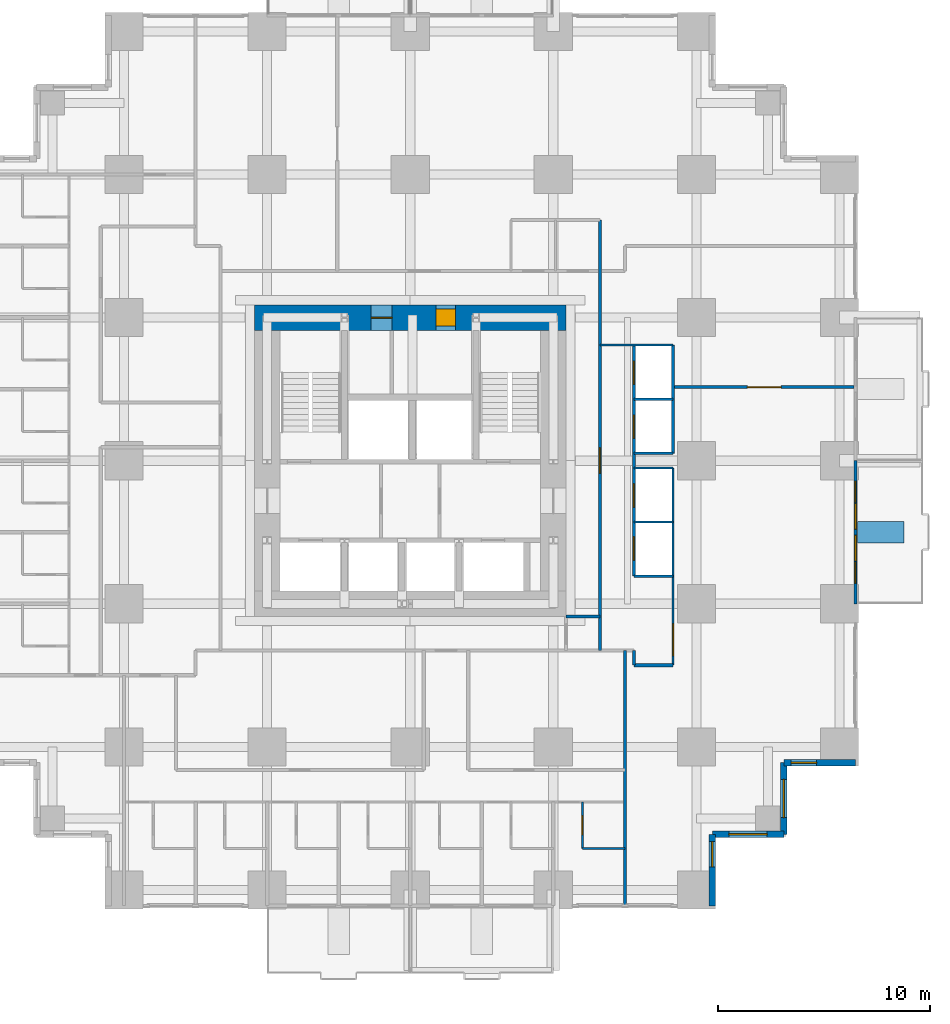
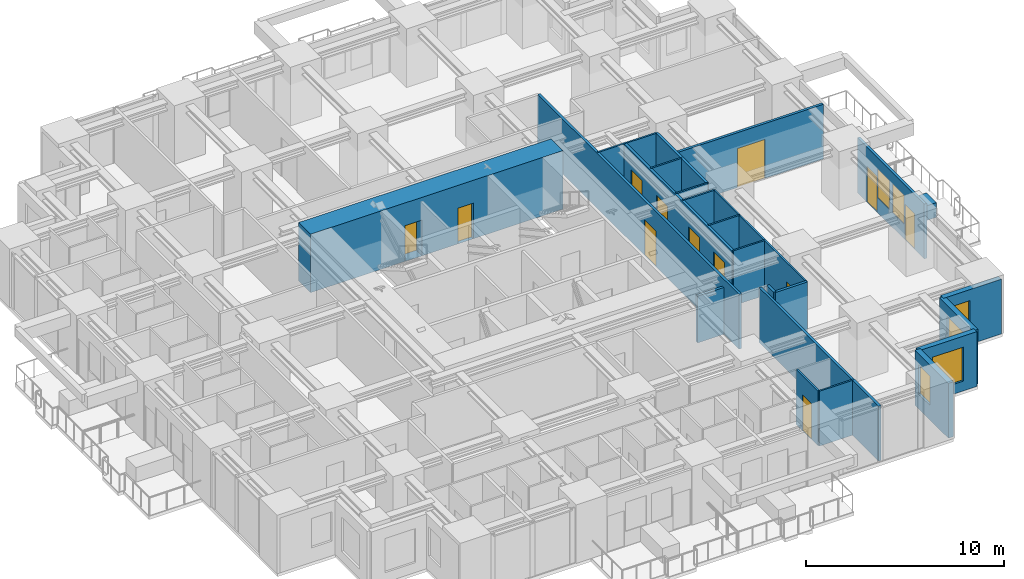
# One storey, part 9 of 13: 24 walls, 12 doors, 6 windows, 18 openings.
"""IFC4 building model written with IfcOpenShell, lengths in metres."""

from ifc_helpers import new_model, si_unit, direction, frame, frame_2d, origin, place, context, subcontext, project, spatial, rectangle, extrude, material, layer, layer_set, type_object, element, fill, save


model = new_model("IFC4")

# Units and contexts
model_context = context("Model", 3, precision=1e-05, world=origin(), true_north=direction((0.0, 1.0)))
body_context = subcontext(model_context, "Body", "Model", "MODEL_VIEW")
ifc_project = project(units=[si_unit("LENGTHUNIT", "METRE"), si_unit("AREAUNIT", "SQUARE_METRE"), si_unit("VOLUMEUNIT", "CUBIC_METRE"), si_unit("PLANEANGLEUNIT", "RADIAN"), si_unit("MASSUNIT", "GRAM", prefix="KILO")], contexts=[model_context])

# Site, building, storey
site_placement = place(None, origin())
site = spatial("IfcSite", under=ifc_project, at=site_placement, CompositionType="ELEMENT")
building_placement = place(site_placement, origin())
building = spatial("IfcBuilding", under=site, at=building_placement, Name="Nyansa Garden Tower", CompositionType="ELEMENT")
storey_placement = place(building_placement, frame((0.0, 0.0, 46.800048828125)))
storey = spatial("IfcBuildingStorey", under=building, at=storey_placement, Name="L12", CompositionType="ELEMENT", Elevation=46.800048828125)

# Wall, openings, doors, windows
ifc_material_1 = material(Name="Black aluminium framed glazed screen", Category="aluminium")
ifc_layer_1 = layer(ifc_material_1, 0.14990234375)
ifc_layer_set_1 = layer_set([ifc_layer_1], Name="Balcony screen wall BW150")
wall_type_1 = type_object("IfcWallType", Name="Balcony screen wall BW150", PredefinedType="SOLIDWALL", material=ifc_layer_set_1)
wall_1_placement = place(storey_placement, frame((41.25, 20.25, 0.0), z_axis=(0.0, 0.0, 1.0), x_axis=(0.0, -1.0, 0.0)))
wall_1 = element("IfcWall", 1, at=wall_1_placement, inside=storey, type_object=wall_type_1, Name="Glazed screen wall L12 E", PredefinedType="SOLIDWALL", context=body_context, shape_type="SweptSolid", body=[
    extrude(rectangle(XDim=6.75, YDim=0.14990234375, at=frame_2d((3.375, 0.0))), origin(), (0.0, 0.0, 1.0), 3.375),
])
opening_1_placement = place(wall_1_placement, frame((0.96240234375, 0.0, 0.0)))
opening_1 = element("IfcOpeningElement", 2, at=opening_1_placement, cuts=wall_1, Name="Opening D20", PredefinedType="OPENING", context=body_context, shape_type="SweptSolid", body=[
    extrude(rectangle(XDim=1.0, YDim=2.199951171875, at=frame_2d((0.5, 1.10009765625))), frame((0.0, 0.0849609375, 0.0), z_axis=(0.0, -1.0, 0.0), x_axis=(1.0, 0.0, 0.0)), (0.0, 0.0, 1.0), 0.169921875),
])
opening_2_placement = place(wall_1_placement, frame((2.02490234375, 0.0, 0.89990234375)))
opening_2 = element("IfcOpeningElement", 3, at=opening_2_placement, cuts=wall_1, Name="Opening W6", PredefinedType="OPENING", context=body_context, shape_type="SweptSolid", body=[
    extrude(rectangle(XDim=1.199951171875, YDim=1.800048828125, at=frame_2d((0.60009765625, 0.89990234375))), frame((0.0, 0.0849609375, 0.0), z_axis=(0.0, -1.0, 0.0), x_axis=(1.0, 0.0, 0.0)), (0.0, 0.0, 1.0), 0.169921875),
])
opening_3_placement = place(wall_1_placement, frame((4.78759765625, 0.0, 0.0)))
opening_3 = element("IfcOpeningElement", 4, at=opening_3_placement, cuts=wall_1, Name="Opening D20", PredefinedType="OPENING", context=body_context, shape_type="SweptSolid", body=[
    extrude(rectangle(XDim=1.0, YDim=2.199951171875, at=frame_2d((0.5, 1.10009765625))), frame((0.0, 0.0849609375, 0.0), z_axis=(0.0, -1.0, 0.0), x_axis=(1.0, 0.0, 0.0)), (0.0, 0.0, 1.0), 0.169921875),
])
opening_4_placement = place(wall_1_placement, frame((3.52490234375, 0.0, 0.89990234375)))
opening_4 = element("IfcOpeningElement", 5, at=opening_4_placement, cuts=wall_1, Name="Opening W6", PredefinedType="OPENING", context=body_context, shape_type="SweptSolid", body=[
    extrude(rectangle(XDim=1.199951171875, YDim=1.800048828125, at=frame_2d((0.60009765625, 0.89990234375))), frame((0.0, 0.0849609375, 0.0), z_axis=(0.0, -1.0, 0.0), x_axis=(1.0, 0.0, 0.0)), (0.0, 0.0, 1.0), 0.169921875),
])
ifc_material_2 = material(Name="Black aluminium framed glazed door", Category="aluminium")
door_type_1 = type_object("IfcDoorType", Name="Balcony door D20 1000x2200", OperationType="NOTDEFINED", PredefinedType="DOOR", material=ifc_material_2)
door_1_placement = place(opening_1_placement, origin())
door_1 = element("IfcDoor", 6, at=door_1_placement, inside=storey, type_object=door_type_1, Name="Balcony door L12", OperationType="SINGLE_SWING_LEFT", OverallHeight=2.199951171875, OverallWidth=1.0, PredefinedType="DOOR", context=body_context, shape_type="SweptSolid", body=[
    extrude(rectangle(XDim=1.0, YDim=2.199951171875, at=frame_2d((0.5, 1.10009765625))), frame((0.0, 0.02490234375, 0.0), z_axis=(0.0, -1.0, 0.0), x_axis=(1.0, 0.0, 0.0)), (0.0, 0.0, 1.0), 0.050048828125),
])
fill(opening_1, door_1)
door_2_placement = place(opening_3_placement, origin())
door_2 = element("IfcDoor", 7, at=door_2_placement, inside=storey, type_object=door_type_1, Name="Balcony door L12", OperationType="SINGLE_SWING_RIGHT", OverallHeight=2.199951171875, OverallWidth=1.0, PredefinedType="DOOR", context=body_context, shape_type="SweptSolid", body=[
    extrude(rectangle(XDim=1.0, YDim=2.199951171875, at=frame_2d((0.5, 1.10009765625))), frame((0.0, 0.02490234375, 0.0), z_axis=(0.0, -1.0, 0.0), x_axis=(1.0, 0.0, 0.0)), (0.0, 0.0, 1.0), 0.050048828125),
])
fill(opening_3, door_2)
ifc_material_3 = material(Name="Black aluminium frame, dark tinted double glazing", Category="aluminium")
window_type_1 = type_object("IfcWindowType", Name="Balcony window W6 1200x1800", PartitioningType="SINGLE_PANEL", PredefinedType="WINDOW", material=ifc_material_3)
window_1_placement = place(opening_2_placement, origin())
window_1 = element("IfcWindow", 8, at=window_1_placement, inside=storey, type_object=window_type_1, Name="Window L12", OverallHeight=1.800048828125, OverallWidth=1.199951171875, PartitioningType="SINGLE_PANEL", PredefinedType="WINDOW", context=body_context, shape_type="SweptSolid", body=[
    extrude(rectangle(XDim=1.199951171875, YDim=1.800048828125, at=frame_2d((0.60009765625, 0.89990234375))), frame((0.0, 0.030029296875, 0.0), z_axis=(0.0, -1.0, 0.0), x_axis=(1.0, 0.0, 0.0)), (0.0, 0.0, 1.0), 0.06005859375),
])
fill(opening_2, window_1)
window_2_placement = place(opening_4_placement, origin())
window_2 = element("IfcWindow", 9, at=window_2_placement, inside=storey, type_object=window_type_1, Name="Window L12", OverallHeight=1.800048828125, OverallWidth=1.199951171875, PartitioningType="SINGLE_PANEL", PredefinedType="WINDOW", context=body_context, shape_type="SweptSolid", body=[
    extrude(rectangle(XDim=1.199951171875, YDim=1.800048828125, at=frame_2d((0.60009765625, 0.89990234375))), frame((0.0, 0.030029296875, 0.0), z_axis=(0.0, -1.0, 0.0), x_axis=(1.0, 0.0, 0.0)), (0.0, 0.0, 1.0), 0.06005859375),
])
fill(opening_4, window_2)

# Wall, openings, doors
ifc_material_4 = material(Name="Concrete C80/95", Category="concrete")
ifc_layer_2 = layer(ifc_material_4, 1.199951171875)
ifc_layer_set_2 = layer_set([ifc_layer_2], Name="Core wall CW1200")
wall_type_2 = type_object("IfcWallType", Name="Core wall CW1200", PredefinedType="SHEAR", material=ifc_layer_set_2)
wall_2_placement = place(storey_placement, frame((27.60009765625, 27.0, 0.0), z_axis=(0.0, 0.0, 1.0), x_axis=(-1.0, 0.0, 0.0)))
wall_2 = element("IfcWall", 10, at=wall_2_placement, inside=storey, type_object=wall_type_2, Name="Core wall N L12", PredefinedType="SHEAR", context=body_context, shape_type="SweptSolid", body=[
    extrude(rectangle(XDim=14.7001953125, YDim=1.199951171875, at=frame_2d((7.35009765625, 0.0))), origin(), (0.0, 0.0, 1.0), 3.599853515625),
])
opening_5_placement = place(wall_2_placement, frame((5.22509765625, 0.0, 0.0)))
opening_5 = element("IfcOpeningElement", 11, at=opening_5_placement, cuts=wall_2, Name="Opening D15", PredefinedType="OPENING", context=body_context, shape_type="SweptSolid", body=[
    extrude(rectangle(XDim=0.89990234375, YDim=2.199951171875, at=frame_2d((0.449951171875, 1.10009765625))), frame((0.0, 0.60986328125, 0.0), z_axis=(0.0, -1.0, 0.0), x_axis=(1.0, 0.0, 0.0)), (0.0, 0.0, 1.0), 1.219970703125),
])
opening_6_placement = place(wall_2_placement, frame((8.199951171875, 0.0, 0.0)))
opening_6 = element("IfcOpeningElement", 12, at=opening_6_placement, cuts=wall_2, Name="Opening D07", PredefinedType="OPENING", context=body_context, shape_type="SweptSolid", body=[
    extrude(rectangle(XDim=1.0, YDim=2.199951171875, at=frame_2d((0.5, 1.10009765625))), frame((0.0, 0.60986328125, 0.0), z_axis=(0.0, -1.0, 0.0), x_axis=(1.0, 0.0, 0.0)), (0.0, 0.0, 1.0), 1.219970703125),
])
ifc_material_5 = material(Name="Timber flush door, 60 minute fire resisting, self-closing", Category="wood")
door_type_2 = type_object("IfcDoorType", Name="Core room door D15 900x2200", OperationType="SINGLE_SWING_LEFT", PredefinedType="DOOR", material=ifc_material_5)
door_3_placement = place(opening_5_placement, origin())
door_3 = element("IfcDoor", 13, at=door_3_placement, inside=storey, type_object=door_type_2, Name="Core room door", OperationType="SINGLE_SWING_LEFT", OverallHeight=2.199951171875, OverallWidth=0.89990234375, PredefinedType="DOOR", context=body_context, shape_type="SweptSolid", body=[
    extrude(rectangle(XDim=0.89990234375, YDim=2.199951171875, at=frame_2d((0.449951171875, 1.10009765625))), frame((0.0, 0.39990234375, 0.0), z_axis=(0.0, -1.0, 0.0), x_axis=(1.0, 0.0, 0.0)), (0.0, 0.0, 1.0), 0.800048828125),
])
fill(opening_5, door_3)
ifc_material_6 = material(Name="Steel door, 120 minute fire resisting", Category="steel")
door_type_3 = type_object("IfcDoorType", Name="Riser door D07 1000x2200", OperationType="SINGLE_SWING_LEFT", PredefinedType="DOOR", material=ifc_material_6)
door_4_placement = place(opening_6_placement, origin())
door_4 = element("IfcDoor", 14, at=door_4_placement, inside=storey, type_object=door_type_3, Name="Riser and refuse room door", OperationType="SINGLE_SWING_LEFT", OverallHeight=2.199951171875, OverallWidth=1.0, PredefinedType="DOOR", context=body_context, shape_type="SweptSolid", body=[
    extrude(rectangle(XDim=1.0, YDim=2.199951171875, at=frame_2d((0.5, 1.10009765625))), frame((0.0, 0.02490234375, 0.0), z_axis=(0.0, -1.0, 0.0), x_axis=(1.0, 0.0, 0.0)), (0.0, 0.0, 1.0), 0.050048828125),
])
fill(opening_6, door_4)

# Walls
ifc_material_7 = material(Name="Steel-stud shaft wall, two layers fire-rated board, EI 120", Category="steel")
ifc_layer_3 = layer(ifc_material_7, 0.10009765625)
ifc_layer_set_3 = layer_set([ifc_layer_3], Name="Lift shaft wall SW100")
wall_type_3 = type_object("IfcWallType", Name="Lift shaft wall SW100", PredefinedType="SHEAR", material=ifc_layer_set_3)
wall_3_placement = place(storey_placement, frame((29.199951171875, 25.699951171875, 0.0), z_axis=(0.0, 0.0, 1.0), x_axis=(1.0, 0.0, 0.0)))
element("IfcWall", 15, at=wall_3_placement, inside=storey, type_object=wall_type_3, Name="Lift shaft wall", PredefinedType="SHEAR", context=body_context, shape_type="SweptSolid", body=[
    extrude(rectangle(XDim=3.449951171875, YDim=0.10009765625, at=frame_2d((1.72509765625, 0.0))), origin(), (0.0, 0.0, 1.0), 3.375),
])
for number, where, z_axis, x_axis, name in (
    (16, (30.800048828125, 14.800048828125, 0.0), (0.0, 0.0, 1.0), (1.0, 0.0, 0.0), "Lift shaft wall"),
    (17, (30.800048828125, 17.35009765625, 0.0), (0.0, 0.0, 1.0), (1.0, 0.0, 0.0), "Lift shaft wall"),
    (18, (30.800048828125, 19.89990234375, 0.0), (0.0, 0.0, 1.0), (1.0, 0.0, 0.0), "Lift shaft wall"),
    (19, (30.800048828125, 20.60009765625, 0.0), (0.0, 0.0, 1.0), (1.0, 0.0, 0.0), "Lift shaft wall"),
    (20, (30.800048828125, 23.14990234375, 0.0), (0.0, 0.0, 1.0), (1.0, 0.0, 0.0), "Lift shaft wall"),
):
    element("IfcWall", number, at=place(storey_placement, frame(where, z_axis=z_axis, x_axis=x_axis)), inside=storey, type_object=wall_type_3, Name=name, PredefinedType="SHEAR", context=body_context, shape_type="SweptSolid", body=[
        extrude(rectangle(XDim=1.849853515625, YDim=0.10009765625, at=frame_2d((0.9248046875, 0.0))), origin(), (0.0, 0.0, 1.0), 3.375),
    ])

# Wall, opening, door
wall_4_placement = place(storey_placement, frame((32.64990234375, 10.60009765625, 0.0), z_axis=(0.0, 0.0, 1.0), x_axis=(0.0, 1.0, 0.0)))
wall_4 = element("IfcWall", 21, at=wall_4_placement, inside=storey, type_object=wall_type_3, Name="Lift shaft wall", PredefinedType="SHEAR", context=body_context, shape_type="SweptSolid", body=[
    extrude(rectangle(XDim=9.2998046875, YDim=0.10009765625, at=frame_2d((4.64990234375, 0.0))), origin(), (0.0, 0.0, 1.0), 3.375),
])
opening_7_placement = place(wall_4_placement, frame((0.449951171875, 0.0, 0.0)))
opening_7 = element("IfcOpeningElement", 22, at=opening_7_placement, cuts=wall_4, Name="Opening D10", PredefinedType="OPENING", context=body_context, shape_type="SweptSolid", body=[
    extrude(rectangle(XDim=1.5, YDim=2.199951171875, at=frame_2d((0.75, 1.10009765625))), frame((0.0, 0.06005859375, 0.0), z_axis=(0.0, -1.0, 0.0), x_axis=(1.0, 0.0, 0.0)), (0.0, 0.0, 1.0), 0.1201171875),
])
ifc_material_8 = material(Name="Timber glazed door, 60 minute fire resisting", Category="wood")
door_type_4 = type_object("IfcDoorType", Name="Lounge door D10 1500x2200", OperationType="DOUBLE_DOOR_SINGLE_SWING", PredefinedType="DOOR", material=ifc_material_8)
door_5_placement = place(opening_7_placement, origin())
door_5 = element("IfcDoor", 23, at=door_5_placement, inside=storey, type_object=door_type_4, Name="Door L12-038", OperationType="DOUBLE_DOOR_SINGLE_SWING", OverallHeight=2.199951171875, OverallWidth=1.5, PredefinedType="DOOR", context=body_context, shape_type="SweptSolid", body=[
    extrude(rectangle(XDim=1.5, YDim=2.199951171875, at=frame_2d((0.75, 1.10009765625))), frame((0.0, 0.02490234375, 0.0), z_axis=(0.0, -1.0, 0.0), x_axis=(1.0, 0.0, 0.0)), (0.0, 0.0, 1.0), 0.050048828125),
])
fill(opening_7, door_5)

# Wall
ifc_material_9 = material(Name="Blockwork, plastered both sides", Category="masonry")
ifc_layer_4 = layer(ifc_material_9, 0.14990234375)
ifc_layer_set_4 = layer_set([ifc_layer_4], Name="Partition PW150")
wall_type_4 = type_object("IfcWallType", Name="Partition PW150", PredefinedType="PARTITIONING", material=ifc_layer_set_4)
wall_5_placement = place(storey_placement, frame((27.60009765625, 12.89990234375, 0.0), z_axis=(0.0, 0.0, 1.0), x_axis=(1.0, 0.0, 0.0)))
element("IfcWall", 24, at=wall_5_placement, inside=storey, type_object=wall_type_4, Name="Partition", PredefinedType="PARTITIONING", context=body_context, shape_type="SweptSolid", body=[
    extrude(rectangle(XDim=1.599853515625, YDim=0.14990234375, at=frame_2d((0.7998046875, 0.0))), origin(), (0.0, 0.0, 1.0), 2.876953125),
])

# Wall, opening, door
wall_6_placement = place(storey_placement, frame((29.199951171875, 11.300048828125, 0.0), z_axis=(0.0, 0.0, 1.0), x_axis=(0.0, 1.0, 0.0)))
wall_6 = element("IfcWall", 25, at=wall_6_placement, inside=storey, type_object=wall_type_4, Name="Partition", PredefinedType="PARTITIONING", context=body_context, shape_type="SweptSolid", body=[
    extrude(rectangle(XDim=20.300048828125, YDim=0.14990234375, at=frame_2d((10.14990234375, 0.0))), origin(), (0.0, 0.0, 1.0), 3.375),
])
opening_8_placement = place(wall_6_placement, frame((8.35009765625, 0.0, 0.0)))
opening_8 = element("IfcOpeningElement", 26, at=opening_8_placement, cuts=wall_6, Name="Opening D06", PredefinedType="OPENING", context=body_context, shape_type="SweptSolid", body=[
    extrude(rectangle(XDim=1.199951171875, YDim=2.199951171875, at=frame_2d((0.60009765625, 1.10009765625))), frame((0.0, 0.0849609375, 0.0), z_axis=(0.0, -1.0, 0.0), x_axis=(1.0, 0.0, 0.0)), (0.0, 0.0, 1.0), 0.169921875),
])
ifc_material_10 = material(Name="Steel door, 120 minute fire resisting", Category="steel")
door_type_5 = type_object("IfcDoorType", Name="Lobby door D06 1200x2200", OperationType="DOUBLE_DOOR_SINGLE_SWING", PredefinedType="DOOR", material=ifc_material_10)
door_6_placement = place(opening_8_placement, origin())
door_6 = element("IfcDoor", 27, at=door_6_placement, inside=storey, type_object=door_type_5, Name="Low-rise lift lobby door", OperationType="DOUBLE_DOOR_SINGLE_SWING", OverallHeight=2.199951171875, OverallWidth=1.199951171875, PredefinedType="DOOR", context=body_context, shape_type="SweptSolid", body=[
    extrude(rectangle(XDim=1.199951171875, YDim=2.199951171875, at=frame_2d((0.60009765625, 1.10009765625))), frame((0.0, 0.02490234375, 0.0), z_axis=(0.0, -1.0, 0.0), x_axis=(1.0, 0.0, 0.0)), (0.0, 0.0, 1.0), 0.050048828125),
])
fill(opening_8, door_6)

# Walls
wall_7_placement = place(storey_placement, frame((30.375, -0.73388671875, 0.0), z_axis=(0.0, 0.0, 1.0), x_axis=(0.0, 1.0, 0.0)))
element("IfcWall", 28, at=wall_7_placement, inside=storey, type_object=wall_type_4, Name="Partition", PredefinedType="PARTITIONING", context=body_context, shape_type="SweptSolid", body=[
    extrude(rectangle(XDim=12.033935546875, YDim=0.14990234375, at=frame_2d((6.01708984375, 0.0))), origin(), (0.0, 0.0, 1.0), 3.375),
])
wall_8_placement = place(storey_placement, frame((30.800048828125, 10.60009765625, 0.0), z_axis=(0.0, 0.0, 1.0), x_axis=(0.0, 1.0, 0.0)))
element("IfcWall", 29, at=wall_8_placement, inside=storey, type_object=wall_type_4, Name="Partition", PredefinedType="PARTITIONING", context=body_context, shape_type="SweptSolid", body=[
    extrude(rectangle(XDim=0.699951171875, YDim=0.14990234375, at=frame_2d((0.35009765625, 0.0))), origin(), (0.0, 0.0, 1.0), 3.375),
])
wall_9_placement = place(storey_placement, frame((30.800048828125, 10.60009765625, 0.0), z_axis=(0.0, 0.0, 1.0), x_axis=(1.0, 0.0, 0.0)))
element("IfcWall", 30, at=wall_9_placement, inside=storey, type_object=wall_type_4, Name="Partition", PredefinedType="PARTITIONING", context=body_context, shape_type="SweptSolid", body=[
    extrude(rectangle(XDim=1.849853515625, YDim=0.14990234375, at=frame_2d((0.9248046875, 0.0))), origin(), (0.0, 0.0, 1.0), 3.375),
])

# Wall, openings, doors
wall_10_placement = place(storey_placement, frame((30.800048828125, 14.800048828125, 0.0), z_axis=(0.0, 0.0, 1.0), x_axis=(0.0, 1.0, 0.0)))
wall_10 = element("IfcWall", 31, at=wall_10_placement, inside=storey, type_object=wall_type_4, Name="Partition", PredefinedType="PARTITIONING", context=body_context, shape_type="SweptSolid", body=[
    extrude(rectangle(XDim=10.89990234375, YDim=0.14990234375, at=frame_2d((5.449951171875, 0.0))), origin(), (0.0, 0.0, 1.0), 3.375),
])
opening_9_placement = place(wall_10_placement, frame((0.75, 0.0, 0.0)))
opening_9 = element("IfcOpeningElement", 32, at=opening_9_placement, cuts=wall_10, Name="Opening LD-A", PredefinedType="OPENING", context=body_context, shape_type="SweptSolid", body=[
    extrude(rectangle(XDim=1.10009765625, YDim=2.199951171875, at=frame_2d((0.550048828125, 1.10009765625))), frame((0.0, 0.0849609375, 0.0), z_axis=(0.0, -1.0, 0.0), x_axis=(1.0, 0.0, 0.0)), (0.0, 0.0, 1.0), 0.169921875),
])
opening_10_placement = place(wall_10_placement, frame((3.25, 0.0, 0.0)))
opening_10 = element("IfcOpeningElement", 33, at=opening_10_placement, cuts=wall_10, Name="Opening LD-A", PredefinedType="OPENING", context=body_context, shape_type="SweptSolid", body=[
    extrude(rectangle(XDim=1.10009765625, YDim=2.199951171875, at=frame_2d((0.550048828125, 1.10009765625))), frame((0.0, 0.0849609375, 0.0), z_axis=(0.0, -1.0, 0.0), x_axis=(1.0, 0.0, 0.0)), (0.0, 0.0, 1.0), 0.169921875),
])
opening_11_placement = place(wall_10_placement, frame((6.5, 0.0, 0.0)))
opening_11 = element("IfcOpeningElement", 34, at=opening_11_placement, cuts=wall_10, Name="Opening LD-A", PredefinedType="OPENING", context=body_context, shape_type="SweptSolid", body=[
    extrude(rectangle(XDim=1.10009765625, YDim=2.199951171875, at=frame_2d((0.550048828125, 1.10009765625))), frame((0.0, 0.0849609375, 0.0), z_axis=(0.0, -1.0, 0.0), x_axis=(1.0, 0.0, 0.0)), (0.0, 0.0, 1.0), 0.169921875),
])
opening_12_placement = place(wall_10_placement, frame((9.050048828125, 0.0, 0.0)))
opening_12 = element("IfcOpeningElement", 35, at=opening_12_placement, cuts=wall_10, Name="Opening LD-A", PredefinedType="OPENING", context=body_context, shape_type="SweptSolid", body=[
    extrude(rectangle(XDim=1.10009765625, YDim=2.199951171875, at=frame_2d((0.550048828125, 1.10009765625))), frame((0.0, 0.0849609375, 0.0), z_axis=(0.0, -1.0, 0.0), x_axis=(1.0, 0.0, 0.0)), (0.0, 0.0, 1.0), 0.169921875),
])
ifc_material_11 = material(Name="Stainless steel centre-opening landing door of the low-rise lift, E 120", Category="steel")
door_type_6 = type_object("IfcDoorType", Name="Lift landing door LD-A 1100x2200", OperationType="DOUBLE_DOOR_SLIDING", PredefinedType="DOOR", material=ifc_material_11)
door_7_placement = place(opening_9_placement, origin())
door_7 = element("IfcDoor", 36, at=door_7_placement, inside=storey, type_object=door_type_6, Name="Landing door A1", OperationType="DOUBLE_DOOR_SLIDING", OverallHeight=2.199951171875, OverallWidth=1.10009765625, PredefinedType="DOOR", context=body_context, shape_type="SweptSolid", body=[
    extrude(rectangle(XDim=1.10009765625, YDim=2.199951171875, at=frame_2d((0.550048828125, 1.10009765625))), frame((0.0, 0.02490234375, 0.0), z_axis=(0.0, -1.0, 0.0), x_axis=(1.0, 0.0, 0.0)), (0.0, 0.0, 1.0), 0.050048828125),
])
fill(opening_9, door_7)
door_8_placement = place(opening_10_placement, origin())
door_8 = element("IfcDoor", 37, at=door_8_placement, inside=storey, type_object=door_type_6, Name="Landing door A2", OperationType="DOUBLE_DOOR_SLIDING", OverallHeight=2.199951171875, OverallWidth=1.10009765625, PredefinedType="DOOR", context=body_context, shape_type="SweptSolid", body=[
    extrude(rectangle(XDim=1.10009765625, YDim=2.199951171875, at=frame_2d((0.550048828125, 1.10009765625))), frame((0.0, 0.02490234375, 0.0), z_axis=(0.0, -1.0, 0.0), x_axis=(1.0, 0.0, 0.0)), (0.0, 0.0, 1.0), 0.050048828125),
])
fill(opening_10, door_8)
door_9_placement = place(opening_11_placement, origin())
door_9 = element("IfcDoor", 38, at=door_9_placement, inside=storey, type_object=door_type_6, Name="Landing door A3", OperationType="DOUBLE_DOOR_SLIDING", OverallHeight=2.199951171875, OverallWidth=1.10009765625, PredefinedType="DOOR", context=body_context, shape_type="SweptSolid", body=[
    extrude(rectangle(XDim=1.10009765625, YDim=2.199951171875, at=frame_2d((0.550048828125, 1.10009765625))), frame((0.0, 0.02490234375, 0.0), z_axis=(0.0, -1.0, 0.0), x_axis=(1.0, 0.0, 0.0)), (0.0, 0.0, 1.0), 0.050048828125),
])
fill(opening_11, door_9)
door_10_placement = place(opening_12_placement, origin())
door_10 = element("IfcDoor", 39, at=door_10_placement, inside=storey, type_object=door_type_6, Name="Landing door A4", OperationType="DOUBLE_DOOR_SLIDING", OverallHeight=2.199951171875, OverallWidth=1.10009765625, PredefinedType="DOOR", context=body_context, shape_type="SweptSolid", body=[
    extrude(rectangle(XDim=1.10009765625, YDim=2.199951171875, at=frame_2d((0.550048828125, 1.10009765625))), frame((0.0, 0.02490234375, 0.0), z_axis=(0.0, -1.0, 0.0), x_axis=(1.0, 0.0, 0.0)), (0.0, 0.0, 1.0), 0.050048828125),
])
fill(opening_12, door_10)

# Wall
wall_11_placement = place(storey_placement, frame((32.64990234375, 20.60009765625, 0.0), z_axis=(0.0, 0.0, 1.0), x_axis=(0.0, 1.0, 0.0)))
element("IfcWall", 40, at=wall_11_placement, inside=storey, type_object=wall_type_4, Name="Partition", PredefinedType="PARTITIONING", context=body_context, shape_type="SweptSolid", body=[
    extrude(rectangle(XDim=5.099853515625, YDim=0.14990234375, at=frame_2d((2.5498046875, 0.0))), origin(), (0.0, 0.0, 1.0), 3.375),
])

# Wall, opening, door
wall_12_placement = place(storey_placement, frame((32.64990234375, 23.719970703125, 0.0), z_axis=(0.0, 0.0, 1.0), x_axis=(1.0, 0.0, 0.0)))
wall_12 = element("IfcWall", 41, at=wall_12_placement, inside=storey, type_object=wall_type_4, Name="Partition", PredefinedType="PARTITIONING", context=body_context, shape_type="SweptSolid", body=[
    extrude(rectangle(XDim=8.525146484375, YDim=0.14990234375, at=frame_2d((4.2626953125, 0.0))), origin(), (0.0, 0.0, 1.0), 3.375),
])
opening_13_placement = place(wall_12_placement, frame((3.5, 0.0, 0.0)))
opening_13 = element("IfcOpeningElement", 42, at=opening_13_placement, cuts=wall_12, Name="Opening D12", PredefinedType="OPENING", context=body_context, shape_type="SweptSolid", body=[
    extrude(rectangle(XDim=1.60009765625, YDim=2.39990234375, at=frame_2d((0.800048828125, 1.199951171875))), frame((0.0, 0.0849609375, 0.0), z_axis=(0.0, -1.0, 0.0), x_axis=(1.0, 0.0, 0.0)), (0.0, 0.0, 1.0), 0.169921875),
])
ifc_material_12 = material(Name="Black aluminium glazed door, 60 minute fire resisting", Category="aluminium")
door_type_7 = type_object("IfcDoorType", Name="Amenity door D12 1600x2400", OperationType="DOUBLE_DOOR_SINGLE_SWING", PredefinedType="DOOR", material=ifc_material_12)
door_11_placement = place(opening_13_placement, origin())
door_11 = element("IfcDoor", 43, at=door_11_placement, inside=storey, type_object=door_type_7, Name="Door L12-037", OperationType="DOUBLE_DOOR_SINGLE_SWING", OverallHeight=2.39990234375, OverallWidth=1.60009765625, PredefinedType="DOOR", context=body_context, shape_type="SweptSolid", body=[
    extrude(rectangle(XDim=1.60009765625, YDim=2.39990234375, at=frame_2d((0.800048828125, 1.199951171875))), frame((0.0, 0.02490234375, 0.0), z_axis=(0.0, -1.0, 0.0), x_axis=(1.0, 0.0, 0.0)), (0.0, 0.0, 1.0), 0.050048828125),
])
fill(opening_13, door_11)

# Wall, opening, window
ifc_material_13 = material(Name="Turquoise glazed tile on concrete blockwork", Category="masonry")
ifc_layer_5 = layer(ifc_material_13, 0.300048828125)
ifc_layer_set_5 = layer_set([ifc_layer_5], Name="Tiled corner wall TW300")
wall_type_5 = type_object("IfcWallType", Name="Tiled corner wall TW300", PredefinedType="SOLIDWALL", material=ifc_layer_set_5)
wall_13_placement = place(storey_placement, frame((34.5, -0.75, 0.0), z_axis=(0.0, 0.0, 1.0), x_axis=(0.0, 1.0, 0.0)))
wall_13 = element("IfcWall", 44, at=wall_13_placement, inside=storey, type_object=wall_type_5, Name="Tiled corner wall L12", PredefinedType="SOLIDWALL", context=body_context, shape_type="SweptSolid", body=[
    extrude(rectangle(XDim=3.375, YDim=0.300048828125, at=frame_2d((1.6875, 0.0))), origin(), (0.0, 0.0, 1.0), 3.375),
])
opening_14_placement = place(wall_13_placement, frame((1.83251953125, 0.0, 0.89990234375)))
opening_14 = element("IfcOpeningElement", 45, at=opening_14_placement, cuts=wall_13, Name="Opening W4", PredefinedType="OPENING", context=body_context, shape_type="SweptSolid", body=[
    extrude(rectangle(XDim=1.199951171875, YDim=1.800048828125, at=frame_2d((0.60009765625, 0.89990234375))), frame((0.0, 0.159912109375, 0.0), z_axis=(0.0, -1.0, 0.0), x_axis=(1.0, 0.0, 0.0)), (0.0, 0.0, 1.0), 0.320068359375),
])
ifc_material_14 = material(Name="Black aluminium frame, dark tinted double glazing", Category="aluminium")
window_type_2 = type_object("IfcWindowType", Name="Window W4 1200x1800", PartitioningType="SINGLE_PANEL", PredefinedType="WINDOW", material=ifc_material_14)
window_3_placement = place(opening_14_placement, origin())
window_3 = element("IfcWindow", 46, at=window_3_placement, inside=storey, type_object=window_type_2, Name="Corner window L12", OverallHeight=1.800048828125, OverallWidth=1.199951171875, PartitioningType="SINGLE_PANEL", PredefinedType="WINDOW", context=body_context, shape_type="SweptSolid", body=[
    extrude(rectangle(XDim=1.199951171875, YDim=1.800048828125, at=frame_2d((0.60009765625, 0.89990234375))), frame((0.0, 0.030029296875, 0.0), z_axis=(0.0, -1.0, 0.0), x_axis=(1.0, 0.0, 0.0)), (0.0, 0.0, 1.0), 0.06005859375),
])
fill(opening_14, window_3)

wall_14_placement = place(storey_placement, frame((34.5, 2.625, 0.0), z_axis=(0.0, 0.0, 1.0), x_axis=(1.0, 0.0, 0.0)))
wall_14 = element("IfcWall", 47, at=wall_14_placement, inside=storey, type_object=wall_type_5, Name="Tiled corner wall L12", PredefinedType="SOLIDWALL", context=body_context, shape_type="SweptSolid", body=[
    extrude(rectangle(XDim=3.375, YDim=0.300048828125, at=frame_2d((1.6875, 0.0))), origin(), (0.0, 0.0, 1.0), 3.375),
])
opening_15_placement = place(wall_14_placement, frame((0.78759765625, 0.0, 0.60009765625)))
opening_15 = element("IfcOpeningElement", 48, at=opening_15_placement, cuts=wall_14, Name="Opening W2", PredefinedType="OPENING", context=body_context, shape_type="SweptSolid", body=[
    extrude(rectangle(XDim=1.800048828125, YDim=2.10009765625, at=frame_2d((0.89990234375, 1.050048828125))), frame((0.0, 0.159912109375, 0.0), z_axis=(0.0, -1.0, 0.0), x_axis=(1.0, 0.0, 0.0)), (0.0, 0.0, 1.0), 0.320068359375),
])
ifc_material_15 = material(Name="Black aluminium frame, dark tinted double glazing", Category="aluminium")
window_type_3 = type_object("IfcWindowType", Name="Window W2 1800x2100", PartitioningType="SINGLE_PANEL", PredefinedType="WINDOW", material=ifc_material_15)
window_4_placement = place(opening_15_placement, origin())
window_4 = element("IfcWindow", 49, at=window_4_placement, inside=storey, type_object=window_type_3, Name="Corner window L12", OverallHeight=2.10009765625, OverallWidth=1.800048828125, PartitioningType="SINGLE_PANEL", PredefinedType="WINDOW", context=body_context, shape_type="SweptSolid", body=[
    extrude(rectangle(XDim=1.800048828125, YDim=2.10009765625, at=frame_2d((0.89990234375, 1.050048828125))), frame((0.0, 0.030029296875, 0.0), z_axis=(0.0, -1.0, 0.0), x_axis=(1.0, 0.0, 0.0)), (0.0, 0.0, 1.0), 0.06005859375),
])
fill(opening_15, window_4)

wall_15_placement = place(storey_placement, frame((37.875, 2.625, 0.0), z_axis=(0.0, 0.0, 1.0), x_axis=(0.0, 1.0, 0.0)))
wall_15 = element("IfcWall", 50, at=wall_15_placement, inside=storey, type_object=wall_type_5, Name="Tiled corner wall L12", PredefinedType="SOLIDWALL", context=body_context, shape_type="SweptSolid", body=[
    extrude(rectangle(XDim=3.375, YDim=0.300048828125, at=frame_2d((1.6875, 0.0))), origin(), (0.0, 0.0, 1.0), 3.375),
])
opening_16_placement = place(wall_15_placement, frame((0.78759765625, 0.0, 0.60009765625)))
opening_16 = element("IfcOpeningElement", 51, at=opening_16_placement, cuts=wall_15, Name="Opening W2", PredefinedType="OPENING", context=body_context, shape_type="SweptSolid", body=[
    extrude(rectangle(XDim=1.800048828125, YDim=2.10009765625, at=frame_2d((0.89990234375, 1.050048828125))), frame((0.0, 0.159912109375, 0.0), z_axis=(0.0, -1.0, 0.0), x_axis=(1.0, 0.0, 0.0)), (0.0, 0.0, 1.0), 0.320068359375),
])
window_5_placement = place(opening_16_placement, origin())
window_5 = element("IfcWindow", 52, at=window_5_placement, inside=storey, type_object=window_type_3, Name="Corner window L12", OverallHeight=2.10009765625, OverallWidth=1.800048828125, PartitioningType="SINGLE_PANEL", PredefinedType="WINDOW", context=body_context, shape_type="SweptSolid", body=[
    extrude(rectangle(XDim=1.800048828125, YDim=2.10009765625, at=frame_2d((0.89990234375, 1.050048828125))), frame((0.0, 0.030029296875, 0.0), z_axis=(0.0, -1.0, 0.0), x_axis=(1.0, 0.0, 0.0)), (0.0, 0.0, 1.0), 0.06005859375),
])
fill(opening_16, window_5)

wall_16_placement = place(storey_placement, frame((37.875, 6.0, 0.0), z_axis=(0.0, 0.0, 1.0), x_axis=(1.0, 0.0, 0.0)))
wall_16 = element("IfcWall", 53, at=wall_16_placement, inside=storey, type_object=wall_type_5, Name="Tiled corner wall L12", PredefinedType="SOLIDWALL", context=body_context, shape_type="SweptSolid", body=[
    extrude(rectangle(XDim=3.375, YDim=0.300048828125, at=frame_2d((1.6875, 0.0))), origin(), (0.0, 0.0, 1.0), 3.375),
])
opening_17_placement = place(wall_16_placement, frame((0.342529296875, 0.0, 0.89990234375)))
opening_17 = element("IfcOpeningElement", 54, at=opening_17_placement, cuts=wall_16, Name="Opening W4", PredefinedType="OPENING", context=body_context, shape_type="SweptSolid", body=[
    extrude(rectangle(XDim=1.199951171875, YDim=1.800048828125, at=frame_2d((0.60009765625, 0.89990234375))), frame((0.0, 0.159912109375, 0.0), z_axis=(0.0, -1.0, 0.0), x_axis=(1.0, 0.0, 0.0)), (0.0, 0.0, 1.0), 0.320068359375),
])
window_6_placement = place(opening_17_placement, origin())
window_6 = element("IfcWindow", 55, at=window_6_placement, inside=storey, type_object=window_type_2, Name="Corner window L12", OverallHeight=1.800048828125, OverallWidth=1.199951171875, PartitioningType="SINGLE_PANEL", PredefinedType="WINDOW", context=body_context, shape_type="SweptSolid", body=[
    extrude(rectangle(XDim=1.199951171875, YDim=1.800048828125, at=frame_2d((0.60009765625, 0.89990234375))), frame((0.0, 0.030029296875, 0.0), z_axis=(0.0, -1.0, 0.0), x_axis=(1.0, 0.0, 0.0)), (0.0, 0.0, 1.0), 0.06005859375),
])
fill(opening_17, window_6)

# Wall
ifc_material_16 = material(Name="Concrete C40/50 planter, waterproofed", Category="concrete")
ifc_layer_6 = layer(ifc_material_16, 1.0)
ifc_layer_set_6 = layer_set([ifc_layer_6], Name="Tree planter TP1")
wall_type_6 = type_object("IfcWallType", Name="Tree planter TP1", PredefinedType="USERDEFINED", material=ifc_layer_set_6)
wall_17_placement = place(storey_placement, frame((41.35009765625, 16.875, 0.0), z_axis=(0.0, 0.0, 1.0), x_axis=(1.0, 0.0, 0.0)))
element("IfcWall", 56, at=wall_17_placement, inside=storey, type_object=wall_type_6, Name="Tree planter L12", ObjectType="TREE PLANTER", PredefinedType="USERDEFINED", context=body_context, shape_type="SweptSolid", body=[
    extrude(rectangle(XDim=2.199951171875, YDim=1.0, at=frame_2d((1.10009765625, 0.0))), origin(), (0.0, 0.0, 1.0), 0.89990234375),
])

# Wall, opening, door
ifc_material_17 = material(Name="Moisture resistant board on steel studs, tiled", Category="steel")
ifc_layer_7 = layer(ifc_material_17, 0.10009765625)
ifc_layer_set_7 = layer_set([ifc_layer_7], Name="Wet wall PW100")
wall_type_7 = type_object("IfcWallType", Name="Wet wall PW100", PredefinedType="PARTITIONING", material=ifc_layer_set_7)
wall_18_placement = place(storey_placement, frame((28.375, 1.949951171875, 0.0), z_axis=(0.0, 0.0, 1.0), x_axis=(0.0, 1.0, 0.0)))
wall_18 = element("IfcWall", 57, at=wall_18_placement, inside=storey, type_object=wall_type_7, Name="Wet wall", PredefinedType="PARTITIONING", context=body_context, shape_type="SweptSolid", body=[
    extrude(rectangle(XDim=2.199951171875, YDim=0.10009765625, at=frame_2d((1.10009765625, 0.0))), origin(), (0.0, 0.0, 1.0), 3.375),
])
opening_18_placement = place(wall_18_placement, frame((0.64990234375, 0.0, 0.0)))
opening_18 = element("IfcOpeningElement", 58, at=opening_18_placement, cuts=wall_18, Name="Opening D02", PredefinedType="OPENING", context=body_context, shape_type="SweptSolid", body=[
    extrude(rectangle(XDim=0.89990234375, YDim=2.199951171875, at=frame_2d((0.449951171875, 1.10009765625))), frame((0.0, 0.06005859375, 0.0), z_axis=(0.0, -1.0, 0.0), x_axis=(1.0, 0.0, 0.0)), (0.0, 0.0, 1.0), 0.1201171875),
])
ifc_material_18 = material(Name="Timber flush door", Category="wood")
door_type_8 = type_object("IfcDoorType", Name="En-suite door D02 900x2200", OperationType="SINGLE_SWING_RIGHT", PredefinedType="DOOR", material=ifc_material_18)
door_12_placement = place(opening_18_placement, origin())
door_12 = element("IfcDoor", 59, at=door_12_placement, inside=storey, type_object=door_type_8, Name="Door L12-030", OperationType="SINGLE_SWING_RIGHT", OverallHeight=2.199951171875, OverallWidth=0.89990234375, PredefinedType="DOOR", context=body_context, shape_type="SweptSolid", body=[
    extrude(rectangle(XDim=0.89990234375, YDim=2.199951171875, at=frame_2d((0.449951171875, 1.10009765625))), frame((0.0, 0.02490234375, 0.0), z_axis=(0.0, -1.0, 0.0), x_axis=(1.0, 0.0, 0.0)), (0.0, 0.0, 1.0), 0.050048828125),
])
fill(opening_18, door_12)

# Wall
wall_19_placement = place(storey_placement, frame((28.375, 1.949951171875, 0.0), z_axis=(0.0, 0.0, 1.0), x_axis=(1.0, 0.0, 0.0)))
element("IfcWall", 60, at=wall_19_placement, inside=storey, type_object=wall_type_7, Name="Wet wall", PredefinedType="PARTITIONING", context=body_context, shape_type="SweptSolid", body=[
    extrude(rectangle(XDim=2.0, YDim=0.10009765625, at=frame_2d((1.0, 0.0))), origin(), (0.0, 0.0, 1.0), 3.375),
])

save(model, "model.ifc")
